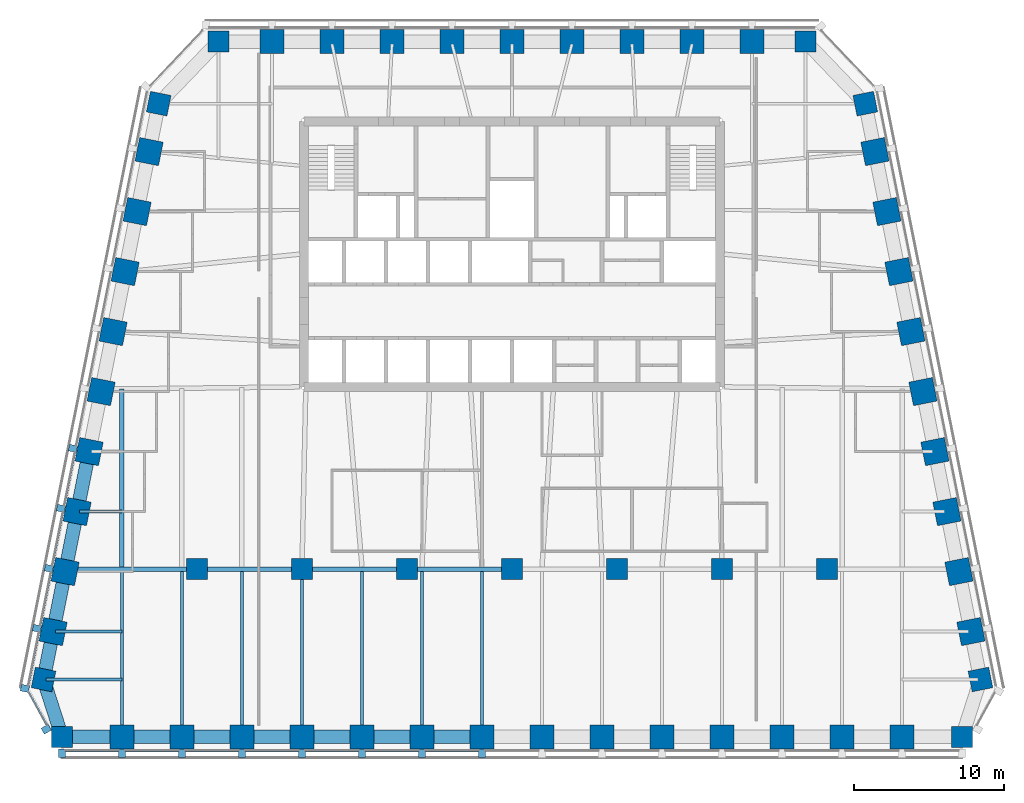
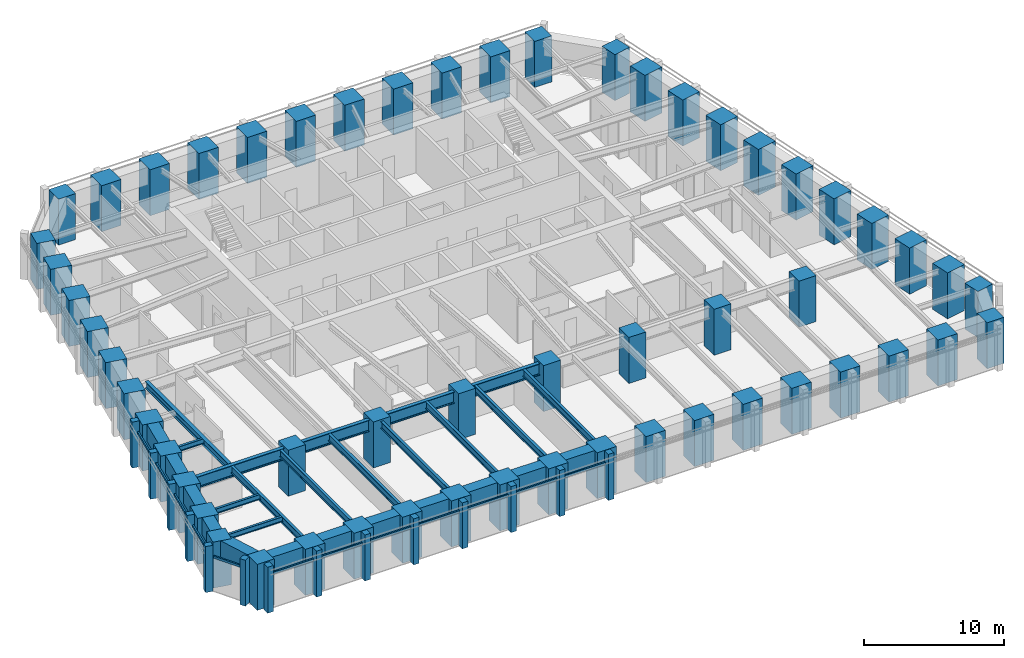
# One storey, part 1 of 10: 56 columns, 27 beams, 26 members, 3 elements without a shape of their own.
"""IFC4 building model written with IfcOpenShell, lengths in metres."""

from ifc_helpers import new_model, si_unit, direction, frame, origin, origin_2d, place, context, subcontext, project, spatial, rectangle, i_section, extrude, material, material_profile, profile_set, type_object, element, aggregate, save


model = new_model("IFC4")

# Units and contexts
model_context = context("Model", 3, precision=1e-05, world=origin(), true_north=direction((0.0, 1.0)))
body_context = subcontext(model_context, "Body", "Model", "MODEL_VIEW")
ifc_project = project(units=[si_unit("LENGTHUNIT", "METRE"), si_unit("AREAUNIT", "SQUARE_METRE"), si_unit("VOLUMEUNIT", "CUBIC_METRE"), si_unit("PLANEANGLEUNIT", "RADIAN"), si_unit("MASSUNIT", "GRAM", prefix="KILO")], contexts=[model_context])

# Site, building, storey
site_placement = place(None, origin())
site = spatial("IfcSite", under=ifc_project, at=site_placement, CompositionType="ELEMENT")
building_placement = place(site_placement, origin())
building = spatial("IfcBuilding", under=site, at=building_placement, Name="Isbrekke Arena Tower", CompositionType="ELEMENT")
storey_placement = place(building_placement, frame((0.0, 0.0, 194.0)))
storey = spatial("IfcBuildingStorey", under=building, at=storey_placement, Name="L44", CompositionType="ELEMENT", Elevation=194.0)

# Columns
ifc_material_1 = material(Name="Concrete B65 (C65/80)", Category="concrete")
ifc_material_profile_1 = material_profile(ifc_material_1, rectangle(XDim=1.39990234375, YDim=1.39990234375, at=origin_2d()), Name="RC 1400x1400")
ifc_profile_set_1 = profile_set([ifc_material_profile_1], Name="Concrete B65 (C65/80)")
column_type_1 = type_object("IfcColumnType", Name="C13 RC 1400 x 1400", PredefinedType="COLUMN", material=ifc_profile_set_1)
for number, where, z_axis, x_axis, name in (
    (1, (-21.0, -6.0, 0.0), (0.0, 0.0, 1.0), (1.0, 0.0, 0.0), "C13 I01"),
    (2, (-14.0, -6.0, 0.0), (0.0, 0.0, 1.0), (1.0, 0.0, 0.0), "C13 I02"),
    (3, (-7.0, -6.0, 0.0), (0.0, 0.0, 1.0), (1.0, 0.0, 0.0), "C13 I03"),
    (4, (0.0, -6.0, 0.0), (0.0, 0.0, 1.0), (1.0, 0.0, 0.0), "C13 I04"),
    (5, (7.0, -6.0, 0.0), (0.0, 0.0, 1.0), (1.0, 0.0, 0.0), "C13 I05"),
    (6, (14.0, -6.0, 0.0), (0.0, 0.0, 1.0), (1.0, 0.0, 0.0), "C13 I06"),
    (7, (21.0, -6.0, 0.0), (0.0, 0.0, 1.0), (1.0, 0.0, 0.0), "C13 I07"),
):
    element("IfcColumn", number, at=place(storey_placement, frame(where, z_axis=z_axis, x_axis=x_axis)), inside=storey, type_object=column_type_1, Name=name, PredefinedType="COLUMN", context=body_context, shape_type="SweptSolid", body=[
        extrude(rectangle(XDim=1.39990234375, YDim=1.39990234375, at=origin_2d()), origin(), (0.0, 0.0, 1.0), 4.0),
    ])
ifc_material_2 = material(Name="Concrete B65 (C65/80)", Category="concrete")
ifc_material_profile_2 = material_profile(ifc_material_2, rectangle(XDim=1.60009765625, YDim=1.60009765625, at=origin_2d()), Name="RC 1600x1600")
ifc_profile_set_2 = profile_set([ifc_material_profile_2], Name="Concrete B65 (C65/80)")
column_type_2 = type_object("IfcColumnType", Name="C4 RC 1600 x 1600", PredefinedType="COLUMN", material=ifc_profile_set_2)
for number, where, z_axis, x_axis, name in (
    (8, (-26.0, -17.175048828125, 0.0), (0.0, 0.0, 1.0), (1.0, 0.0, 0.0), "C4 S02"),
    (9, (-22.0, -17.175048828125, 0.0), (0.0, 0.0, 1.0), (1.0, 0.0, 0.0), "C4 S03"),
    (10, (-18.0, -17.175048828125, 0.0), (0.0, 0.0, 1.0), (1.0, 0.0, 0.0), "C4 S04"),
    (11, (-14.0, -17.175048828125, 0.0), (0.0, 0.0, 1.0), (1.0, 0.0, 0.0), "C4 S05"),
    (12, (-10.0, -17.175048828125, 0.0), (0.0, 0.0, 1.0), (1.0, 0.0, 0.0), "C4 S06"),
    (13, (-6.0, -17.175048828125, 0.0), (0.0, 0.0, 1.0), (1.0, 0.0, 0.0), "C4 S07"),
    (14, (-2.0, -17.175048828125, 0.0), (0.0, 0.0, 1.0), (1.0, 0.0, 0.0), "C4 S08"),
    (15, (2.0, -17.175048828125, 0.0), (0.0, 0.0, 1.0), (1.0, 0.0, 0.0), "C4 S09"),
    (16, (6.0, -17.175048828125, 0.0), (0.0, 0.0, 1.0), (1.0, 0.0, 0.0), "C4 S10"),
    (17, (10.0, -17.175048828125, 0.0), (0.0, 0.0, 1.0), (1.0, 0.0, 0.0), "C4 S11"),
    (18, (14.0, -17.175048828125, 0.0), (0.0, 0.0, 1.0), (1.0, 0.0, 0.0), "C4 S12"),
    (19, (18.0, -17.175048828125, 0.0), (0.0, 0.0, 1.0), (1.0, 0.0, 0.0), "C4 S13"),
    (20, (22.0, -17.175048828125, 0.0), (0.0, 0.0, 1.0), (1.0, 0.0, 0.0), "C4 S14"),
    (21, (26.0, -17.175048828125, 0.0), (0.0, 0.0, 1.0), (1.0, 0.0, 0.0), "C4 S15"),
    (22, (30.591064453125, -10.161865234375, 0.0), (0.0, 0.0, 1.0), (-0.196116135138, 0.980580675691, 0.0), "C4 E02"),
    (23, (29.791015625, -6.161865234375, 0.0), (0.0, 0.0, 1.0), (-0.196116135138, 0.980580675691, 0.0), "C4 E03"),
    (24, (28.990966796875, -2.161865234375, 0.0), (0.0, 0.0, 1.0), (-0.196116135138, 0.980580675691, 0.0), "C4 E04"),
    (25, (28.19091796875, 1.838134765625, 0.0), (0.0, 0.0, 1.0), (-0.196116135138, 0.980580675691, 0.0), "C4 E05"),
    (26, (27.39111328125, 5.838134765625, 0.0), (0.0, 0.0, 1.0), (-0.196116135138, 0.980580675691, 0.0), "C4 E06"),
    (27, (26.591064453125, 9.838134765625, 0.0), (0.0, 0.0, 1.0), (-0.196116135138, 0.980580675691, 0.0), "C4 E07"),
    (28, (25.791015625, 13.838134765625, 0.0), (0.0, 0.0, 1.0), (-0.196116135138, 0.980580675691, 0.0), "C4 E08"),
    (29, (24.990966796875, 17.838134765625, 0.0), (0.0, 0.0, 1.0), (-0.196116135138, 0.980580675691, 0.0), "C4 E09"),
    (30, (24.19091796875, 21.838134765625, 0.0), (0.0, 0.0, 1.0), (-0.196116135138, 0.980580675691, 0.0), "C4 E10"),
    (31, (16.0, 29.175048828125, 0.0), (0.0, 0.0, 1.0), (-1.0, 0.0, 0.0), "C4 N02"),
    (32, (12.0, 29.175048828125, 0.0), (0.0, 0.0, 1.0), (-1.0, 0.0, 0.0), "C4 N03"),
    (33, (8.0, 29.175048828125, 0.0), (0.0, 0.0, 1.0), (-1.0, 0.0, 0.0), "C4 N04"),
    (34, (4.0, 29.175048828125, 0.0), (0.0, 0.0, 1.0), (-1.0, 0.0, 0.0), "C4 N05"),
    (35, (0.0, 29.175048828125, 0.0), (0.0, 0.0, 1.0), (-1.0, 0.0, 0.0), "C4 N06"),
    (36, (-4.0, 29.175048828125, 0.0), (0.0, 0.0, 1.0), (-1.0, 0.0, 0.0), "C4 N07"),
    (37, (-8.0, 29.175048828125, 0.0), (0.0, 0.0, 1.0), (-1.0, 0.0, 0.0), "C4 N08"),
    (38, (-12.0, 29.175048828125, 0.0), (0.0, 0.0, 1.0), (-1.0, 0.0, 0.0), "C4 N09"),
    (39, (-16.0, 29.175048828125, 0.0), (0.0, 0.0, 1.0), (-1.0, 0.0, 0.0), "C4 N10"),
    (40, (-24.19091796875, 21.838134765625, 0.0), (0.0, 0.0, 1.0), (-0.196116135138, -0.980580675691, 0.0), "C4 W02"),
    (41, (-24.990966796875, 17.838134765625, 0.0), (0.0, 0.0, 1.0), (-0.196116135138, -0.980580675691, 0.0), "C4 W03"),
    (42, (-25.791015625, 13.838134765625, 0.0), (0.0, 0.0, 1.0), (-0.196116135138, -0.980580675691, 0.0), "C4 W04"),
    (43, (-26.591064453125, 9.838134765625, 0.0), (0.0, 0.0, 1.0), (-0.196116135138, -0.980580675691, 0.0), "C4 W05"),
    (44, (-27.39111328125, 5.838134765625, 0.0), (0.0, 0.0, 1.0), (-0.196116135138, -0.980580675691, 0.0), "C4 W06"),
    (45, (-28.19091796875, 1.838134765625, 0.0), (0.0, 0.0, 1.0), (-0.196116135138, -0.980580675691, 0.0), "C4 W07"),
    (46, (-28.990966796875, -2.161865234375, 0.0), (0.0, 0.0, 1.0), (-0.196116135138, -0.980580675691, 0.0), "C4 W08"),
    (47, (-29.791015625, -6.161865234375, 0.0), (0.0, 0.0, 1.0), (-0.196116135138, -0.980580675691, 0.0), "C4 W09"),
    (48, (-30.591064453125, -10.161865234375, 0.0), (0.0, 0.0, 1.0), (-0.196116135138, -0.980580675691, 0.0), "C4 W10"),
):
    element("IfcColumn", number, at=place(storey_placement, frame(where, z_axis=z_axis, x_axis=x_axis)), inside=storey, type_object=column_type_2, Name=name, PredefinedType="COLUMN", context=body_context, shape_type="SweptSolid", body=[
        extrude(rectangle(XDim=1.60009765625, YDim=1.60009765625, at=origin_2d()), origin(), (0.0, 0.0, 1.0), 4.0),
    ])
ifc_material_3 = material(Name="Concrete B65 (C65/80)", Category="concrete")
ifc_material_profile_3 = material_profile(ifc_material_3, rectangle(XDim=1.39990234375, YDim=1.39990234375, at=origin_2d()), Name="RC 1400x1400")
ifc_profile_set_3 = profile_set([ifc_material_profile_3], Name="Concrete B65 (C65/80)")
column_type_3 = type_object("IfcColumnType", Name="C8 RC 1400 x 1400", PredefinedType="COLUMN", material=ifc_profile_set_3)
for number, where, z_axis, x_axis, name in (
    (49, (-30.0, -17.175048828125, 0.0), (0.0, 0.0, 1.0), (1.0, 0.0, 0.0), "C8 S01"),
    (50, (30.0, -17.175048828125, 0.0), (0.0, 0.0, 1.0), (1.0, 0.0, 0.0), "C8 S16"),
    (51, (31.229248046875, -13.352783203125, 0.0), (0.0, 0.0, 1.0), (-0.196116135138, 0.980580675691, 0.0), "C8 E01"),
    (52, (23.552734375, 25.029296875, 0.0), (0.0, 0.0, 1.0), (-0.196116135138, 0.980580675691, 0.0), "C8 E11"),
    (53, (19.574951171875, 29.175048828125, 0.0), (0.0, 0.0, 1.0), (-1.0, 0.0, 0.0), "C8 N01"),
    (54, (-19.574951171875, 29.175048828125, 0.0), (0.0, 0.0, 1.0), (-1.0, 0.0, 0.0), "C8 N11"),
    (55, (-23.552734375, 25.029296875, 0.0), (0.0, 0.0, 1.0), (-0.196116135138, -0.980580675691, 0.0), "C8 W01"),
    (56, (-31.229248046875, -13.352783203125, 0.0), (0.0, 0.0, 1.0), (-0.196116135138, -0.980580675691, 0.0), "C8 W11"),
):
    element("IfcColumn", number, at=place(storey_placement, frame(where, z_axis=z_axis, x_axis=x_axis)), inside=storey, type_object=column_type_3, Name=name, PredefinedType="COLUMN", context=body_context, shape_type="SweptSolid", body=[
        extrude(rectangle(XDim=1.39990234375, YDim=1.39990234375, at=origin_2d()), origin(), (0.0, 0.0, 1.0), 4.0),
    ])

# Beams
ifc_material_4 = material(Name="Steel S355", Category="steel")
ifc_material_profile_4 = material_profile(ifc_material_4, i_section(OverallWidth=0.219970703125, OverallDepth=0.60009765625, WebThickness=0.011962890625, FlangeThickness=0.01904296875, FilletRadius=0.02392578125, at=origin_2d()), Name="IPE 600")
ifc_profile_set_4 = profile_set([ifc_material_profile_4], Name="Steel S355")
beam_type_1 = type_object("IfcBeamType", Name="B1 IPE 600", PredefinedType="BEAM", material=ifc_profile_set_4)
for number, where, z_axis, x_axis, name in (
    (57, (-26.0, -17.02490234375, 3.550048828125), (0.0, 1.0, 0.0), (-1.0, 0.0, 0.0), "B1 beam S-S02 L44"),
    (58, (-22.0, -17.02490234375, 3.550048828125), (0.0, 1.0, 0.0), (-1.0, 0.0, 0.0), "B1 beam S-S03 L44"),
    (59, (-18.0, -17.02490234375, 3.550048828125), (0.0, 1.0, 0.0), (-1.0, 0.0, 0.0), "B1 beam S-S04 L44"),
):
    element("IfcBeam", number, at=place(storey_placement, frame(where, z_axis=z_axis, x_axis=x_axis)), inside=storey, type_object=beam_type_1, Name=name, PredefinedType="BEAM", context=body_context, shape_type="SweptSolid", body=[
        extrude(i_section(OverallWidth=0.219970703125, OverallDepth=0.60009765625, WebThickness=0.011962890625, FlangeThickness=0.01904296875, FilletRadius=0.02392578125, at=origin_2d()), origin(), (0.0, 0.0, 1.0), 10.8740234375),
    ])
beam_1_placement = place(storey_placement, frame((-14.0, -17.02490234375, 3.550048828125), z_axis=(0.0, 1.0, 0.0), x_axis=(-1.0, 0.0, 0.0)))
element("IfcBeam", 60, at=beam_1_placement, inside=storey, type_object=beam_type_1, Name="B1 beam S-S05 L44", PredefinedType="BEAM", context=body_context, shape_type="SweptSolid", body=[
    extrude(i_section(OverallWidth=0.219970703125, OverallDepth=0.60009765625, WebThickness=0.011962890625, FlangeThickness=0.01904296875, FilletRadius=0.02392578125, at=origin_2d()), origin(), (0.0, 0.0, 1.0), 10.875),
])
for number, where, z_axis, x_axis, name in (
    (61, (-10.0, -17.02490234375, 3.550048828125), (0.0, 1.0, 0.0), (-1.0, 0.0, 0.0), "B1 beam S-S06 L44"),
    (62, (-6.0, -17.02490234375, 3.550048828125), (0.0, 1.0, 0.0), (-1.0, 0.0, 0.0), "B1 beam S-S07 L44"),
    (63, (-2.0, -17.02490234375, 3.550048828125), (0.0, 1.0, 0.0), (-1.0, 0.0, 0.0), "B1 beam S-S08 L44"),
):
    element("IfcBeam", number, at=place(storey_placement, frame(where, z_axis=z_axis, x_axis=x_axis)), inside=storey, type_object=beam_type_1, Name=name, PredefinedType="BEAM", context=body_context, shape_type="SweptSolid", body=[
        extrude(i_section(OverallWidth=0.219970703125, OverallDepth=0.60009765625, WebThickness=0.011962890625, FlangeThickness=0.01904296875, FilletRadius=0.02392578125, at=origin_2d()), origin(), (0.0, 0.0, 1.0), 10.8740234375),
    ])
ifc_material_5 = material(Name="Steel S355", Category="steel")
ifc_material_profile_5 = material_profile(ifc_material_5, i_section(OverallWidth=0.18994140625, OverallDepth=0.449951171875, WebThickness=0.009521484375, FlangeThickness=0.0146484375, FilletRadius=0.02099609375, at=origin_2d()), Name="IPE 450")
ifc_profile_set_5 = profile_set([ifc_material_profile_5], Name="Steel S355")
beam_type_2 = type_object("IfcBeamType", Name="B2 IPE 450", PredefinedType="BEAM", material=ifc_profile_set_5)
beam_2_placement = place(storey_placement, frame((-28.841064453125, -2.161865234375, 3.625), z_axis=(1.0, 0.0, 0.0), x_axis=(0.0, 1.0, 0.0)))
element("IfcBeam", 64, at=beam_2_placement, inside=storey, type_object=beam_type_2, Name="B2 beam E-W08 L44", PredefinedType="BEAM", context=body_context, shape_type="SweptSolid", body=[
    extrude(i_section(OverallWidth=0.18994140625, OverallDepth=0.449951171875, WebThickness=0.009521484375, FlangeThickness=0.0146484375, FilletRadius=0.02099609375, at=origin_2d()), origin(), (0.0, 0.0, 1.0), 2.841064453125),
])
beam_3_placement = place(storey_placement, frame((-30.44091796875, -10.161865234375, 3.625), z_axis=(1.0, 0.0, 0.0), x_axis=(0.0, 1.0, 0.0)))
element("IfcBeam", 65, at=beam_3_placement, inside=storey, type_object=beam_type_2, Name="B2 beam E-W10 L44", PredefinedType="BEAM", context=body_context, shape_type="SweptSolid", body=[
    extrude(i_section(OverallWidth=0.18994140625, OverallDepth=0.449951171875, WebThickness=0.009521484375, FlangeThickness=0.0146484375, FilletRadius=0.02099609375, at=origin_2d()), origin(), (0.0, 0.0, 1.0), 4.44091796875),
])
beam_4_placement = place(storey_placement, frame((-31.079345703125, -13.352783203125, 3.625), z_axis=(1.0, 0.0, 0.0), x_axis=(0.0, 1.0, 0.0)))
element("IfcBeam", 66, at=beam_4_placement, inside=storey, type_object=beam_type_2, Name="B2 beam E-W11 L44", PredefinedType="BEAM", context=body_context, shape_type="SweptSolid", body=[
    extrude(i_section(OverallWidth=0.18994140625, OverallDepth=0.449951171875, WebThickness=0.009521484375, FlangeThickness=0.0146484375, FilletRadius=0.02099609375, at=origin_2d()), origin(), (0.0, 0.0, 1.0), 5.079345703125),
])
ifc_material_6 = material(Name="Steel S355", Category="steel")
ifc_material_profile_6 = material_profile(ifc_material_6, i_section(OverallWidth=0.300048828125, OverallDepth=0.60009765625, WebThickness=0.015380859375, FlangeThickness=0.030029296875, FilletRadius=0.027099609375, at=origin_2d()), Name="HEB 600")
ifc_profile_set_6 = profile_set([ifc_material_profile_6], Name="Steel S355")
beam_type_3 = type_object("IfcBeamType", Name="B7 HEB 600", PredefinedType="BEAM", material=ifc_profile_set_6)
beam_5_placement = place(storey_placement, frame((-26.0, -5.84912109375, 3.550048828125), z_axis=(0.0, 1.0, 0.0), x_axis=(-1.0, 0.0, 0.0)))
element("IfcBeam", 67, at=beam_5_placement, inside=storey, type_object=beam_type_3, Name="B7 beam C-M01 L44", PredefinedType="BEAM", context=body_context, shape_type="SweptSolid", body=[
    extrude(i_section(OverallWidth=0.300048828125, OverallDepth=0.60009765625, WebThickness=0.015380859375, FlangeThickness=0.030029296875, FilletRadius=0.027099609375, at=origin_2d()), origin(), (0.0, 0.0, 1.0), 11.864990234375),
])

# Curtain wall, members
ifc_material_7 = material(Name="Glazed aluminium curtain wall", Category="aluminium")
curtain_wall_type = type_object("IfcCurtainWallType", Name="CWH TOWER CURTAIN WALL HIGH ZONE", PredefinedType="USERDEFINED", material=ifc_material_7)
curtain_wall_1_placement = place(storey_placement, origin())
curtain_wall_1 = element("IfcCurtainWall", 68, at=curtain_wall_1_placement, inside=storey, type_object=curtain_wall_type, Name="CWH curtain wall L44-S", ObjectType="TOWER CURTAIN WALL HIGH ZONE", PredefinedType="USERDEFINED")
ifc_material_8 = material(Name="Aluminium mullion, pale brick slip cladding", Category="masonry")
ifc_material_profile_7 = material_profile(ifc_material_8, rectangle(XDim=0.449951171875, YDim=0.550048828125, at=origin_2d()), Name="PIER 450X550")
ifc_profile_set_7 = profile_set([ifc_material_profile_7], Name="Aluminium mullion, pale brick slip cladding")
member_type_1 = type_object("IfcMemberType", Name="CWH-M PIER MULLION 450 x 550", PredefinedType="MULLION", material=ifc_profile_set_7)
member_1_placement = place(storey_placement, frame((-30.0, -18.27490234375, 0.0), z_axis=(0.0, 0.0, 1.0), x_axis=(1.0, 0.0, 0.0)))
member_1 = element("IfcMember", 69, at=member_1_placement, type_object=member_type_1, Name="CWH-M mullion 1", PredefinedType="MULLION", context=body_context, shape_type="SweptSolid", body=[
    extrude(rectangle(XDim=0.449951171875, YDim=0.550048828125, at=origin_2d()), origin(), (0.0, 0.0, 1.0), 4.0),
])
member_2_placement = place(storey_placement, frame((-26.0, -18.27490234375, 0.0), z_axis=(0.0, 0.0, 1.0), x_axis=(1.0, 0.0, 0.0)))
member_2 = element("IfcMember", 70, at=member_2_placement, type_object=member_type_1, Name="CWH-M mullion 2", PredefinedType="MULLION", context=body_context, shape_type="SweptSolid", body=[
    extrude(rectangle(XDim=0.449951171875, YDim=0.550048828125, at=origin_2d()), origin(), (0.0, 0.0, 1.0), 4.0),
])
member_3_placement = place(storey_placement, frame((-22.0, -18.27490234375, 0.0), z_axis=(0.0, 0.0, 1.0), x_axis=(1.0, 0.0, 0.0)))
member_3 = element("IfcMember", 71, at=member_3_placement, type_object=member_type_1, Name="CWH-M mullion 3", PredefinedType="MULLION", context=body_context, shape_type="SweptSolid", body=[
    extrude(rectangle(XDim=0.449951171875, YDim=0.550048828125, at=origin_2d()), origin(), (0.0, 0.0, 1.0), 4.0),
])
member_4_placement = place(storey_placement, frame((-18.0, -18.27490234375, 0.0), z_axis=(0.0, 0.0, 1.0), x_axis=(1.0, 0.0, 0.0)))
member_4 = element("IfcMember", 72, at=member_4_placement, type_object=member_type_1, Name="CWH-M mullion 4", PredefinedType="MULLION", context=body_context, shape_type="SweptSolid", body=[
    extrude(rectangle(XDim=0.449951171875, YDim=0.550048828125, at=origin_2d()), origin(), (0.0, 0.0, 1.0), 4.0),
])
member_5_placement = place(storey_placement, frame((-14.0, -18.27490234375, 0.0), z_axis=(0.0, 0.0, 1.0), x_axis=(1.0, 0.0, 0.0)))
member_5 = element("IfcMember", 73, at=member_5_placement, type_object=member_type_1, Name="CWH-M mullion 5", PredefinedType="MULLION", context=body_context, shape_type="SweptSolid", body=[
    extrude(rectangle(XDim=0.449951171875, YDim=0.550048828125, at=origin_2d()), origin(), (0.0, 0.0, 1.0), 4.0),
])
member_6_placement = place(storey_placement, frame((-10.0, -18.27490234375, 0.0), z_axis=(0.0, 0.0, 1.0), x_axis=(1.0, 0.0, 0.0)))
member_6 = element("IfcMember", 74, at=member_6_placement, type_object=member_type_1, Name="CWH-M mullion 6", PredefinedType="MULLION", context=body_context, shape_type="SweptSolid", body=[
    extrude(rectangle(XDim=0.449951171875, YDim=0.550048828125, at=origin_2d()), origin(), (0.0, 0.0, 1.0), 4.0),
])
member_7_placement = place(storey_placement, frame((-6.0, -18.27490234375, 0.0), z_axis=(0.0, 0.0, 1.0), x_axis=(1.0, 0.0, 0.0)))
member_7 = element("IfcMember", 75, at=member_7_placement, type_object=member_type_1, Name="CWH-M mullion 7", PredefinedType="MULLION", context=body_context, shape_type="SweptSolid", body=[
    extrude(rectangle(XDim=0.449951171875, YDim=0.550048828125, at=origin_2d()), origin(), (0.0, 0.0, 1.0), 4.0),
])
member_8_placement = place(storey_placement, frame((-2.0, -18.27490234375, 0.0), z_axis=(0.0, 0.0, 1.0), x_axis=(1.0, 0.0, 0.0)))
member_8 = element("IfcMember", 76, at=member_8_placement, type_object=member_type_1, Name="CWH-M mullion 8", PredefinedType="MULLION", context=body_context, shape_type="SweptSolid", body=[
    extrude(rectangle(XDim=0.449951171875, YDim=0.550048828125, at=origin_2d()), origin(), (0.0, 0.0, 1.0), 4.0),
])

curtain_wall_2_placement = place(storey_placement, origin())
curtain_wall_2 = element("IfcCurtainWall", 77, at=curtain_wall_2_placement, inside=storey, type_object=curtain_wall_type, Name="CWH curtain wall L44-W", ObjectType="TOWER CURTAIN WALL HIGH ZONE", PredefinedType="USERDEFINED")
member_9_placement = place(storey_placement, frame((-29.269775390625, 2.053955078125, 0.0), z_axis=(0.0, 0.0, 1.0), x_axis=(-0.196116135138, -0.980580675691, 0.0)))
member_9 = element("IfcMember", 78, at=member_9_placement, type_object=member_type_1, Name="CWH-M mullion 6", PredefinedType="MULLION", context=body_context, shape_type="SweptSolid", body=[
    extrude(rectangle(XDim=0.449951171875, YDim=0.550048828125, at=origin_2d()), origin(), (0.0, 0.0, 1.0), 4.0),
])
member_10_placement = place(storey_placement, frame((-30.069580078125, -1.946044921875, 0.0), z_axis=(0.0, 0.0, 1.0), x_axis=(-0.196116135138, -0.980580675691, 0.0)))
member_10 = element("IfcMember", 79, at=member_10_placement, type_object=member_type_1, Name="CWH-M mullion 7", PredefinedType="MULLION", context=body_context, shape_type="SweptSolid", body=[
    extrude(rectangle(XDim=0.449951171875, YDim=0.550048828125, at=origin_2d()), origin(), (0.0, 0.0, 1.0), 4.0),
])
member_11_placement = place(storey_placement, frame((-30.86962890625, -5.946044921875, 0.0), z_axis=(0.0, 0.0, 1.0), x_axis=(-0.196116135138, -0.980580675691, 0.0)))
member_11 = element("IfcMember", 80, at=member_11_placement, type_object=member_type_1, Name="CWH-M mullion 8", PredefinedType="MULLION", context=body_context, shape_type="SweptSolid", body=[
    extrude(rectangle(XDim=0.449951171875, YDim=0.550048828125, at=origin_2d()), origin(), (0.0, 0.0, 1.0), 4.0),
])
member_12_placement = place(storey_placement, frame((-31.669677734375, -9.946044921875, 0.0), z_axis=(0.0, 0.0, 1.0), x_axis=(-0.196116135138, -0.980580675691, 0.0)))
member_12 = element("IfcMember", 81, at=member_12_placement, type_object=member_type_1, Name="CWH-M mullion 9", PredefinedType="MULLION", context=body_context, shape_type="SweptSolid", body=[
    extrude(rectangle(XDim=0.449951171875, YDim=0.550048828125, at=origin_2d()), origin(), (0.0, 0.0, 1.0), 4.0),
])
member_13_placement = place(storey_placement, frame((-32.4697265625, -13.946044921875, 0.0), z_axis=(0.0, 0.0, 1.0), x_axis=(-0.196116135138, -0.980580675691, 0.0)))
member_13 = element("IfcMember", 82, at=member_13_placement, type_object=member_type_1, Name="CWH-M mullion 10", PredefinedType="MULLION", context=body_context, shape_type="SweptSolid", body=[
    extrude(rectangle(XDim=0.449951171875, YDim=0.550048828125, at=origin_2d()), origin(), (0.0, 0.0, 1.0), 4.0),
])

# Curtain wall, member
curtain_wall_3_placement = place(storey_placement, origin())
curtain_wall_3 = element("IfcCurtainWall", 83, at=curtain_wall_3_placement, inside=storey, type_object=curtain_wall_type, Name="CWH curtain wall L44-WS", ObjectType="TOWER CURTAIN WALL HIGH ZONE", PredefinedType="USERDEFINED")
member_14_placement = place(storey_placement, frame((-31.04638671875, -16.66796875, 0.0), z_axis=(0.0, 0.0, 1.0), x_axis=(0.481918749773, -0.876215908676, 0.0)))
member_14 = element("IfcMember", 84, at=member_14_placement, type_object=member_type_1, Name="CWH-M mullion 1", PredefinedType="MULLION", context=body_context, shape_type="SweptSolid", body=[
    extrude(rectangle(XDim=0.449951171875, YDim=0.550048828125, at=origin_2d()), origin(), (0.0, 0.0, 1.0), 4.0),
])

# Member
ifc_material_9 = material(Name="Aluminium transom", Category="aluminium")
ifc_material_profile_8 = material_profile(ifc_material_9, rectangle(XDim=0.1201171875, YDim=0.199951171875, at=origin_2d()), Name="TRANSOM 120X200")
ifc_profile_set_8 = profile_set([ifc_material_profile_8], Name="Aluminium transom")
member_type_2 = type_object("IfcMemberType", Name="CWH-T TRANSOM 120 x 200", PredefinedType="USERDEFINED", material=ifc_profile_set_8)
member_15_placement = place(storey_placement, frame((-29.77490234375, -18.10009765625, 3.0), z_axis=(1.0, 0.0, 0.0), x_axis=(0.0, 1.0, 0.0)))
member_15 = element("IfcMember", 85, at=member_15_placement, type_object=member_type_2, Name="CWH-T transom 1", ObjectType="TRANSOM", PredefinedType="USERDEFINED", context=body_context, shape_type="SweptSolid", body=[
    extrude(rectangle(XDim=0.1201171875, YDim=0.199951171875, at=origin_2d()), origin(), (0.0, 0.0, 1.0), 3.5498046875),
])

member_16_placement = place(storey_placement, frame((-25.77490234375, -18.10009765625, 3.0), z_axis=(1.0, 0.0, 0.0), x_axis=(0.0, 1.0, 0.0)))
member_16 = element("IfcMember", 86, at=member_16_placement, type_object=member_type_2, Name="CWH-T transom 2", ObjectType="TRANSOM", PredefinedType="USERDEFINED", context=body_context, shape_type="SweptSolid", body=[
    extrude(rectangle(XDim=0.1201171875, YDim=0.199951171875, at=origin_2d()), origin(), (0.0, 0.0, 1.0), 3.5498046875),
])

member_17_placement = place(storey_placement, frame((-21.77490234375, -18.10009765625, 3.0), z_axis=(1.0, 0.0, 0.0), x_axis=(0.0, 1.0, 0.0)))
member_17 = element("IfcMember", 87, at=member_17_placement, type_object=member_type_2, Name="CWH-T transom 3", ObjectType="TRANSOM", PredefinedType="USERDEFINED", context=body_context, shape_type="SweptSolid", body=[
    extrude(rectangle(XDim=0.1201171875, YDim=0.199951171875, at=origin_2d()), origin(), (0.0, 0.0, 1.0), 3.5498046875),
])

member_18_placement = place(storey_placement, frame((-17.77490234375, -18.10009765625, 3.0), z_axis=(1.0, 0.0, 0.0), x_axis=(0.0, 1.0, 0.0)))
member_18 = element("IfcMember", 88, at=member_18_placement, type_object=member_type_2, Name="CWH-T transom 4", ObjectType="TRANSOM", PredefinedType="USERDEFINED", context=body_context, shape_type="SweptSolid", body=[
    extrude(rectangle(XDim=0.1201171875, YDim=0.199951171875, at=origin_2d()), origin(), (0.0, 0.0, 1.0), 3.5498046875),
])

member_19_placement = place(storey_placement, frame((-13.77490234375, -18.10009765625, 3.0), z_axis=(1.0, 0.0, 0.0), x_axis=(0.0, 1.0, 0.0)))
member_19 = element("IfcMember", 89, at=member_19_placement, type_object=member_type_2, Name="CWH-T transom 5", ObjectType="TRANSOM", PredefinedType="USERDEFINED", context=body_context, shape_type="SweptSolid", body=[
    extrude(rectangle(XDim=0.1201171875, YDim=0.199951171875, at=origin_2d()), origin(), (0.0, 0.0, 1.0), 3.5498046875),
])

member_20_placement = place(storey_placement, frame((-9.77490234375, -18.10009765625, 3.0), z_axis=(1.0, 0.0, 0.0), x_axis=(0.0, 1.0, 0.0)))
member_20 = element("IfcMember", 90, at=member_20_placement, type_object=member_type_2, Name="CWH-T transom 6", ObjectType="TRANSOM", PredefinedType="USERDEFINED", context=body_context, shape_type="SweptSolid", body=[
    extrude(rectangle(XDim=0.1201171875, YDim=0.199951171875, at=origin_2d()), origin(), (0.0, 0.0, 1.0), 3.5498046875),
])

member_21_placement = place(storey_placement, frame((-5.77490234375, -18.10009765625, 3.0), z_axis=(1.0, 0.0, 0.0), x_axis=(0.0, 1.0, 0.0)))
member_21 = element("IfcMember", 91, at=member_21_placement, type_object=member_type_2, Name="CWH-T transom 7", ObjectType="TRANSOM", PredefinedType="USERDEFINED", context=body_context, shape_type="SweptSolid", body=[
    extrude(rectangle(XDim=0.1201171875, YDim=0.199951171875, at=origin_2d()), origin(), (0.0, 0.0, 1.0), 3.5498046875),
])

aggregate(curtain_wall_1, [member_1, member_2, member_3, member_4, member_5, member_6, member_7, member_8, member_15, member_16, member_17, member_18, member_19, member_20, member_21])

member_22_placement = place(storey_placement, frame((-29.14208984375, 1.799072265625, 3.0), z_axis=(-0.196154943734, -0.980572913173, 0.0), x_axis=(0.980572913173, -0.196154943734, 0.0)))
member_22 = element("IfcMember", 92, at=member_22_placement, type_object=member_type_2, Name="CWH-T transom 7", ObjectType="TRANSOM", PredefinedType="USERDEFINED", context=body_context, shape_type="SweptSolid", body=[
    extrude(rectangle(XDim=0.1201171875, YDim=0.199951171875, at=origin_2d()), origin(), (0.0, 0.0, 1.0), 3.62939453125),
])

member_23_placement = place(storey_placement, frame((-29.942138671875, -2.200927734375, 3.0), z_axis=(-0.196154943734, -0.980572913173, 0.0), x_axis=(0.980572913173, -0.196154943734, 0.0)))
member_23 = element("IfcMember", 93, at=member_23_placement, type_object=member_type_2, Name="CWH-T transom 8", ObjectType="TRANSOM", PredefinedType="USERDEFINED", context=body_context, shape_type="SweptSolid", body=[
    extrude(rectangle(XDim=0.1201171875, YDim=0.199951171875, at=origin_2d()), origin(), (0.0, 0.0, 1.0), 3.62939453125),
])

member_24_placement = place(storey_placement, frame((-30.7421875, -6.200927734375, 3.0), z_axis=(-0.196090262229, -0.980585849918, 0.0), x_axis=(0.980585849918, -0.196090262229, 0.0)))
member_24 = element("IfcMember", 94, at=member_24_placement, type_object=member_type_2, Name="CWH-T transom 9", ObjectType="TRANSOM", PredefinedType="USERDEFINED", context=body_context, shape_type="SweptSolid", body=[
    extrude(rectangle(XDim=0.1201171875, YDim=0.199951171875, at=origin_2d()), origin(), (0.0, 0.0, 1.0), 3.62939453125),
])

member_25_placement = place(storey_placement, frame((-31.542236328125, -10.200927734375, 3.0), z_axis=(-0.196090262229, -0.980585849918, 0.0), x_axis=(0.980585849918, -0.196090262229, 0.0)))
member_25 = element("IfcMember", 95, at=member_25_placement, type_object=member_type_2, Name="CWH-T transom 10", ObjectType="TRANSOM", PredefinedType="USERDEFINED", context=body_context, shape_type="SweptSolid", body=[
    extrude(rectangle(XDim=0.1201171875, YDim=0.199951171875, at=origin_2d()), origin(), (0.0, 0.0, 1.0), 3.62939453125),
])

aggregate(curtain_wall_2, [member_9, member_10, member_11, member_12, member_13, member_22, member_23, member_24, member_25])

member_26_placement = place(storey_placement, frame((-32.17919921875, -14.245361328125, 3.0), z_axis=(0.481957101782, -0.876194813978, 0.0), x_axis=(0.876194813978, 0.481957101782, 0.0)))
member_26 = element("IfcMember", 96, at=member_26_placement, type_object=member_type_2, Name="CWH-T transom 1", ObjectType="TRANSOM", PredefinedType="USERDEFINED", context=body_context, shape_type="SweptSolid", body=[
    extrude(rectangle(XDim=0.1201171875, YDim=0.199951171875, at=origin_2d()), origin(), (0.0, 0.0, 1.0), 2.443603515625),
])

aggregate(curtain_wall_3, [member_14, member_26])

# Beams
ifc_material_10 = material(Name="Steel S355", Category="steel")
ifc_material_profile_9 = material_profile(ifc_material_10, i_section(OverallWidth=0.302001953125, OverallDepth=1.008056640625, WebThickness=0.02099609375, FlangeThickness=0.0400390625, FilletRadius=0.030029296875, at=origin_2d()), Name="HEM 1000")
ifc_profile_set_9 = profile_set([ifc_material_profile_9], Name="Steel S355")
beam_type_4 = type_object("IfcBeamType", Name="G1 HEM 1000", PredefinedType="BEAM", material=ifc_profile_set_9)
beam_6_placement = place(storey_placement, frame((-29.791015625, -6.0, 3.345947265625), z_axis=(1.0, 0.0, 0.0), x_axis=(0.0, 1.0, 0.0)))
element("IfcBeam", 97, at=beam_6_placement, inside=storey, type_object=beam_type_4, Name="G1 beam G1-01 L44", PredefinedType="BEAM", context=body_context, shape_type="SweptSolid", body=[
    extrude(i_section(OverallWidth=0.302001953125, OverallDepth=1.008056640625, WebThickness=0.02099609375, FlangeThickness=0.0400390625, FilletRadius=0.030029296875, at=origin_2d()), origin(), (0.0, 0.0, 1.0), 8.64111328125),
])
for number, where, z_axis, x_axis, name in (
    (98, (-20.85009765625, -6.0, 3.345947265625), (1.0, 0.0, 0.0), (0.0, 1.0, 0.0), "G1 beam G1-02 L44"),
    (99, (-13.85009765625, -6.0, 3.345947265625), (1.0, 0.0, 0.0), (0.0, 1.0, 0.0), "G1 beam G1-03 L44"),
    (100, (-6.85009765625, -6.0, 3.345947265625), (1.0, 0.0, 0.0), (0.0, 1.0, 0.0), "G1 beam G1-04 L44"),
):
    element("IfcBeam", number, at=place(storey_placement, frame(where, z_axis=z_axis, x_axis=x_axis)), inside=storey, type_object=beam_type_4, Name=name, PredefinedType="BEAM", context=body_context, shape_type="SweptSolid", body=[
        extrude(i_section(OverallWidth=0.302001953125, OverallDepth=1.008056640625, WebThickness=0.02099609375, FlangeThickness=0.0400390625, FilletRadius=0.030029296875, at=origin_2d()), origin(), (0.0, 0.0, 1.0), 6.7001953125),
    ])
ifc_material_11 = material(Name="Concrete B65 (C65/80)", Category="concrete")
ifc_material_profile_10 = material_profile(ifc_material_11, rectangle(XDim=0.89990234375, YDim=1.5, at=origin_2d()), Name="RC 900x1500")
ifc_profile_set_10 = profile_set([ifc_material_profile_10], Name="Concrete B65 (C65/80)")
beam_type_5 = type_object("IfcBeamType", Name="SB3 RC 900 x 1500", PredefinedType="SPANDREL", material=ifc_profile_set_10)
for number, where, z_axis, x_axis, name in (
    (101, (-29.85009765625, -17.175048828125, 3.25), (1.0, 0.0, 0.0), (0.0, 1.0, 0.0), "SB3 spandrel S01-S02 L44"),
    (102, (-25.85009765625, -17.175048828125, 3.25), (1.0, 0.0, 0.0), (0.0, 1.0, 0.0), "SB3 spandrel S02-S03 L44"),
    (103, (-21.85009765625, -17.175048828125, 3.25), (1.0, 0.0, 0.0), (0.0, 1.0, 0.0), "SB3 spandrel S03-S04 L44"),
    (104, (-17.85009765625, -17.175048828125, 3.25), (1.0, 0.0, 0.0), (0.0, 1.0, 0.0), "SB3 spandrel S04-S05 L44"),
    (105, (-13.85009765625, -17.175048828125, 3.25), (1.0, 0.0, 0.0), (0.0, 1.0, 0.0), "SB3 spandrel S05-S06 L44"),
    (106, (-9.85009765625, -17.175048828125, 3.25), (1.0, 0.0, 0.0), (0.0, 1.0, 0.0), "SB3 spandrel S06-S07 L44"),
    (107, (-5.85009765625, -17.175048828125, 3.25), (1.0, 0.0, 0.0), (0.0, 1.0, 0.0), "SB3 spandrel S07-S08 L44"),
):
    element("IfcBeam", number, at=place(storey_placement, frame(where, z_axis=z_axis, x_axis=x_axis)), inside=storey, type_object=beam_type_5, Name=name, PredefinedType="SPANDREL", context=body_context, shape_type="SweptSolid", body=[
        extrude(rectangle(XDim=0.89990234375, YDim=1.5, at=origin_2d()), origin(), (0.0, 0.0, 1.0), 3.7001953125),
    ])
for number, where, z_axis, x_axis, name in (
    (108, (-28.220458984375, 1.691162109375, 3.25), (-0.196128558387, -0.980578190959, 0.0), (0.980578190959, -0.196128558387, 0.0), "SB3 spandrel W07-W08 L44"),
    (109, (-29.0205078125, -2.308837890625, 3.25), (-0.196128558387, -0.980578190959, 0.0), (0.980578190959, -0.196128558387, 0.0), "SB3 spandrel W08-W09 L44"),
):
    element("IfcBeam", number, at=place(storey_placement, frame(where, z_axis=z_axis, x_axis=x_axis)), inside=storey, type_object=beam_type_5, Name=name, PredefinedType="SPANDREL", context=body_context, shape_type="SweptSolid", body=[
        extrude(rectangle(XDim=0.89990234375, YDim=1.5, at=origin_2d()), origin(), (0.0, 0.0, 1.0), 3.779296875),
    ])
beam_7_placement = place(storey_placement, frame((-29.820556640625, -6.308837890625, 3.25), z_axis=(-0.1960664412, -0.980590613169, 0.0), x_axis=(0.980590613169, -0.1960664412, 0.0)))
element("IfcBeam", 110, at=beam_7_placement, inside=storey, type_object=beam_type_5, Name="SB3 spandrel W09-W10 L44", PredefinedType="SPANDREL", context=body_context, shape_type="SweptSolid", body=[
    extrude(rectangle(XDim=0.89990234375, YDim=1.5, at=origin_2d()), origin(), (0.0, 0.0, 1.0), 3.779052734375),
])
beam_8_placement = place(storey_placement, frame((-30.620361328125, -10.308837890625, 3.25), z_axis=(-0.196100243168, -0.980583853951, 0.0), x_axis=(0.980583853951, -0.196100243168, 0.0)))
element("IfcBeam", 111, at=beam_8_placement, inside=storey, type_object=beam_type_5, Name="SB3 spandrel W10-W11 L44", PredefinedType="SPANDREL", context=body_context, shape_type="SweptSolid", body=[
    extrude(rectangle(XDim=0.89990234375, YDim=1.5, at=origin_2d()), origin(), (0.0, 0.0, 1.0), 2.954345703125),
])
beam_9_placement = place(storey_placement, frame((-31.183349609375, -13.49560546875, 3.25), z_axis=(0.306175101476, -0.951975213562, 0.0), x_axis=(0.951975213562, 0.306175101476, 0.0)))
element("IfcBeam", 112, at=beam_9_placement, inside=storey, type_object=beam_type_5, Name="SB3 spandrel W11-S01 L44", PredefinedType="SPANDREL", context=body_context, shape_type="SweptSolid", body=[
    extrude(rectangle(XDim=0.89990234375, YDim=1.5, at=origin_2d()), origin(), (0.0, 0.0, 1.0), 3.715087890625),
])

save(model, "model.ifc")
